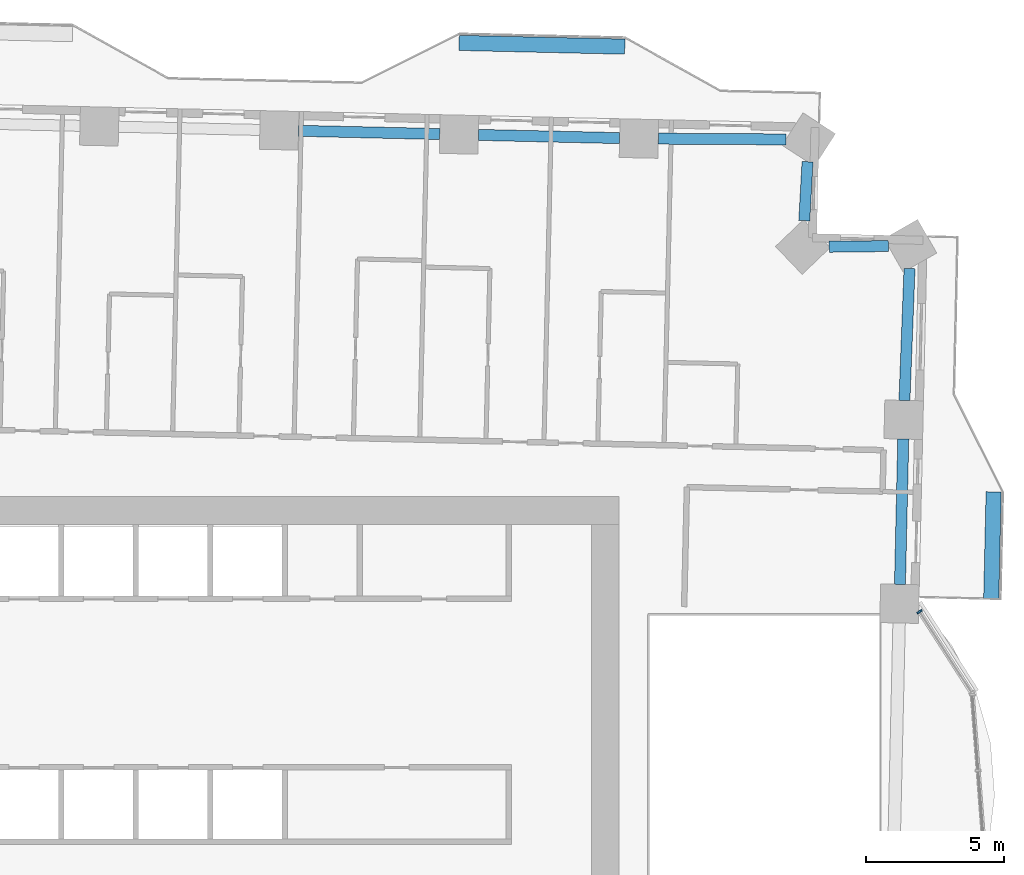
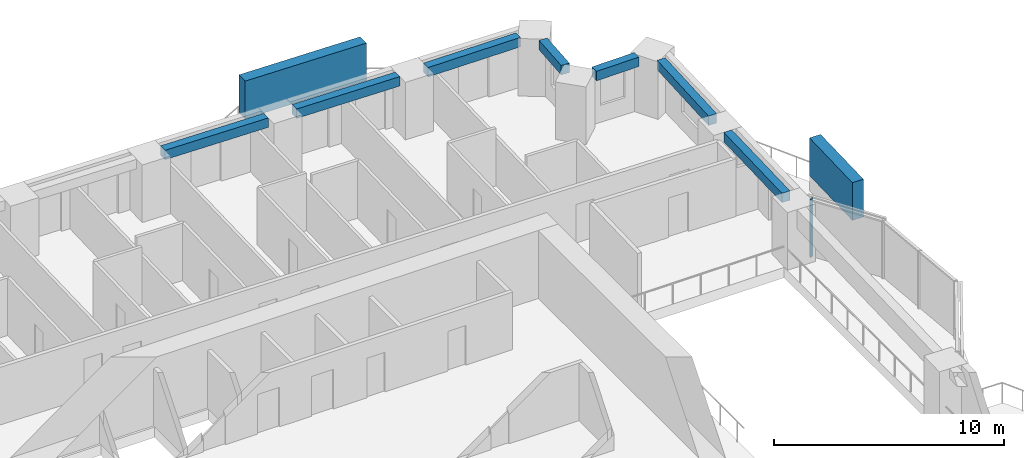
# One storey, part 4 of 16: 7 beams, 3 members, 1 element without a shape of its own.
"""IFC4 building model written with IfcOpenShell, lengths in metres."""

from ifc_helpers import new_model, si_unit, direction, frame, origin, origin_2d, place, context, subcontext, project, spatial, rectangle, extrude, material, material_profile, profile_set, type_object, element, aggregate, save


model = new_model("IFC4")

# Units and contexts
model_context = context("Model", 3, precision=1e-05, world=origin(), true_north=direction((0.0, 1.0)))
body_context = subcontext(model_context, "Body", "Model", "MODEL_VIEW")
ifc_project = project(units=[si_unit("LENGTHUNIT", "METRE"), si_unit("AREAUNIT", "SQUARE_METRE"), si_unit("VOLUMEUNIT", "CUBIC_METRE"), si_unit("PLANEANGLEUNIT", "RADIAN"), si_unit("MASSUNIT", "GRAM", prefix="KILO")], contexts=[model_context])

# Site, building, storey
site_placement = place(None, origin())
site = spatial("IfcSite", under=ifc_project, at=site_placement, CompositionType="ELEMENT")
building_placement = place(site_placement, origin())
building = spatial("IfcBuilding", under=site, at=building_placement, Name="Mangrove Gate Tower", CompositionType="ELEMENT")
storey_placement = place(building_placement, frame((0.0, 0.0, 109.10009765625)))
storey = spatial("IfcBuildingStorey", under=building, at=storey_placement, Name="L27", CompositionType="ELEMENT", Elevation=109.10009765625)

# Curtain wall, member
ifc_material_1 = material(Name="Aluminium and glass curtain wall", Category="aluminium")
curtain_wall_type = type_object("IfcCurtainWallType", Name="Atrium garden-court glazing wall", PredefinedType="NOTDEFINED", material=ifc_material_1)
curtain_wall_placement = place(storey_placement, origin())
curtain_wall = element("IfcCurtainWall", 1, at=curtain_wall_placement, inside=storey, type_object=curtain_wall_type, Name="Atrium garden-court glazing E1f3", PredefinedType="NOTDEFINED")
ifc_material_2 = material(Name="Aluminium alloy 6063-T6", Category="aluminium")
ifc_material_profile_1 = material_profile(ifc_material_2, rectangle(XDim=0.070068359375, YDim=0.199951171875, at=origin_2d()))
ifc_profile_set_1 = profile_set([ifc_material_profile_1], Name="Aluminium alloy 6063-T6")
member_type_1 = type_object("IfcMemberType", Name="Atrium garden-court glazing mullion 70x200", PredefinedType="MULLION", material=ifc_profile_set_1)
member_1_placement = place(storey_placement, frame((25.67626953125, 7.6337890625, 0.0), z_axis=(0.0, 0.0, 1.0), x_axis=(-0.540510523896, 0.841337253162, 0.0)))
member_1 = element("IfcMember", 2, at=member_1_placement, type_object=member_type_1, Name="CWA mullion 2", PredefinedType="MULLION", context=body_context, shape_type="SweptSolid", body=[
    extrude(rectangle(XDim=0.070068359375, YDim=0.199951171875, at=origin_2d()), origin(), (0.0, 0.0, 1.0), 3.0498046875),
])
aggregate(curtain_wall, [member_1])

# Members
ifc_material_3 = material(Name="Planting on aluminium trellis", Category="aluminium")
ifc_material_profile_2 = material_profile(ifc_material_3, rectangle(XDim=0.550048828125, YDim=2.0, at=origin_2d()))
ifc_profile_set_2 = profile_set([ifc_material_profile_2], Name="Planting on aluminium trellis")
member_type_2 = type_object("IfcMemberType", Name="Balcony greenery screen 550x2000", PredefinedType="USERDEFINED", material=ifc_profile_set_2)
member_2_placement = place(storey_placement, frame((28.27294921875, 8.09912109375, 1.7998046875), z_axis=(0.022745736617, 0.999741282265, 0.0), x_axis=(-0.999741282265, 0.022745736617, 0.0)))
element("IfcMember", 3, at=member_2_placement, inside=storey, type_object=member_type_2, Name="GREEN SCREEN L27 E1.1", ObjectType="PLANTING", PredefinedType="USERDEFINED", context=body_context, shape_type="SweptSolid", body=[
    extrude(rectangle(XDim=0.550048828125, YDim=2.0, at=origin_2d()), origin(), (0.0, 0.0, 1.0), 3.874755859375),
])
member_3_placement = place(storey_placement, frame((9.006103515625, 28.23095703125, 1.7998046875), z_axis=(0.999743157205, -0.022663177671, 0.0), x_axis=(0.022663177671, 0.999743157205, 0.0)))
element("IfcMember", 4, at=member_3_placement, inside=storey, type_object=member_type_2, Name="GREEN SCREEN L27 N0.1", ObjectType="PLANTING", PredefinedType="USERDEFINED", context=body_context, shape_type="SweptSolid", body=[
    extrude(rectangle(XDim=0.550048828125, YDim=2.0, at=origin_2d()), origin(), (0.0, 0.0, 1.0), 6.000244140625),
])

# Beams
ifc_material_4 = material(Name="Concrete C50/60", Category="concrete")
ifc_material_profile_3 = material_profile(ifc_material_4, rectangle(XDim=0.39990234375, YDim=0.5, at=origin_2d()))
ifc_profile_set_3 = profile_set([ifc_material_profile_3], Name="Concrete C50/60")
beam_type = type_object("IfcBeamType", Name="Edge beam RC 400x500 C50/60", PredefinedType="BEAM", material=ifc_profile_set_3)
beam_1_placement = place(storey_placement, frame((24.968994140625, 8.624755859375, 2.7998046875), z_axis=(0.022689785053, 0.999742553688, 0.0), x_axis=(-0.999742553688, 0.022689785053, 0.0)))
element("IfcBeam", 5, at=beam_1_placement, inside=storey, type_object=beam_type, Name="Edge beam L27 16", PredefinedType="BEAM", context=body_context, shape_type="SweptSolid", body=[
    extrude(rectangle(XDim=0.39990234375, YDim=0.5, at=origin_2d()), origin(), (0.0, 0.0, 1.0), 5.26171875),
])
beam_2_placement = place(storey_placement, frame((25.131103515625, 15.284423828125, 2.7998046875), z_axis=(0.038521415319, 0.999257774832, 0.0), x_axis=(-0.999257774832, 0.038521415319, 0.0)))
element("IfcBeam", 6, at=beam_2_placement, inside=storey, type_object=beam_type, Name="Edge beam L27 17", PredefinedType="BEAM", context=body_context, shape_type="SweptSolid", body=[
    extrude(rectangle(XDim=0.39990234375, YDim=0.5, at=origin_2d()), origin(), (0.0, 0.0, 1.0), 4.77880859375),
])
beam_3_placement = place(storey_placement, frame((24.546630859375, 20.8740234375, 2.7998046875), z_axis=(-0.999929581757, -0.011867245978, 0.0), x_axis=(0.011867245978, -0.999929581757, 0.0)))
element("IfcBeam", 7, at=beam_3_placement, inside=storey, type_object=beam_type, Name="Edge beam L27 18", PredefinedType="BEAM", context=body_context, shape_type="SweptSolid", body=[
    extrude(rectangle(XDim=0.39990234375, YDim=0.5, at=origin_2d()), origin(), (0.0, 0.0, 1.0), 2.1396484375),
])
beam_4_placement = place(storey_placement, frame((21.50341796875, 21.794677734375, 2.7998046875), z_axis=(0.055767490661, 0.998443782586, 0.0), x_axis=(-0.998443782586, 0.055767490661, 0.0)))
element("IfcBeam", 8, at=beam_4_placement, inside=storey, type_object=beam_type, Name="Edge beam L27 19", PredefinedType="BEAM", context=body_context, shape_type="SweptSolid", body=[
    extrude(rectangle(XDim=0.39990234375, YDim=0.5, at=origin_2d()), origin(), (0.0, 0.0, 1.0), 2.136474609375),
])
beam_5_placement = place(storey_placement, frame((20.83740234375, 24.736572265625, 2.7998046875), z_axis=(-0.999983412295, 0.005759786089, 0.0), x_axis=(-0.005759786089, -0.999983412295, 0.0)))
element("IfcBeam", 9, at=beam_5_placement, inside=storey, type_object=beam_type, Name="Edge beam L27 20", PredefinedType="BEAM", context=body_context, shape_type="SweptSolid", body=[
    extrude(rectangle(XDim=0.39990234375, YDim=0.5, at=origin_2d()), origin(), (0.0, 0.0, 1.0), 4.6201171875),
])
beam_6_placement = place(storey_placement, frame((14.8173828125, 24.783203125, 2.7998046875), z_axis=(-0.99974294325, 0.022672613896, 0.0), x_axis=(-0.022672613896, -0.99974294325, 0.0)))
element("IfcBeam", 10, at=beam_6_placement, inside=storey, type_object=beam_type, Name="Edge beam L27 21", PredefinedType="BEAM", context=body_context, shape_type="SweptSolid", body=[
    extrude(rectangle(XDim=0.39990234375, YDim=0.5, at=origin_2d()), origin(), (0.0, 0.0, 1.0), 5.11474609375),
])
beam_7_placement = place(storey_placement, frame((8.30419921875, 24.93115234375, 2.7998046875), z_axis=(-0.99974193409, 0.022717068963, 0.0), x_axis=(-0.022717068963, -0.99974193409, 0.0)))
element("IfcBeam", 11, at=beam_7_placement, inside=storey, type_object=beam_type, Name="Edge beam L27 22", PredefinedType="BEAM", context=body_context, shape_type="SweptSolid", body=[
    extrude(rectangle(XDim=0.39990234375, YDim=0.5, at=origin_2d()), origin(), (0.0, 0.0, 1.0), 5.115478515625),
])

save(model, "model.ifc")
